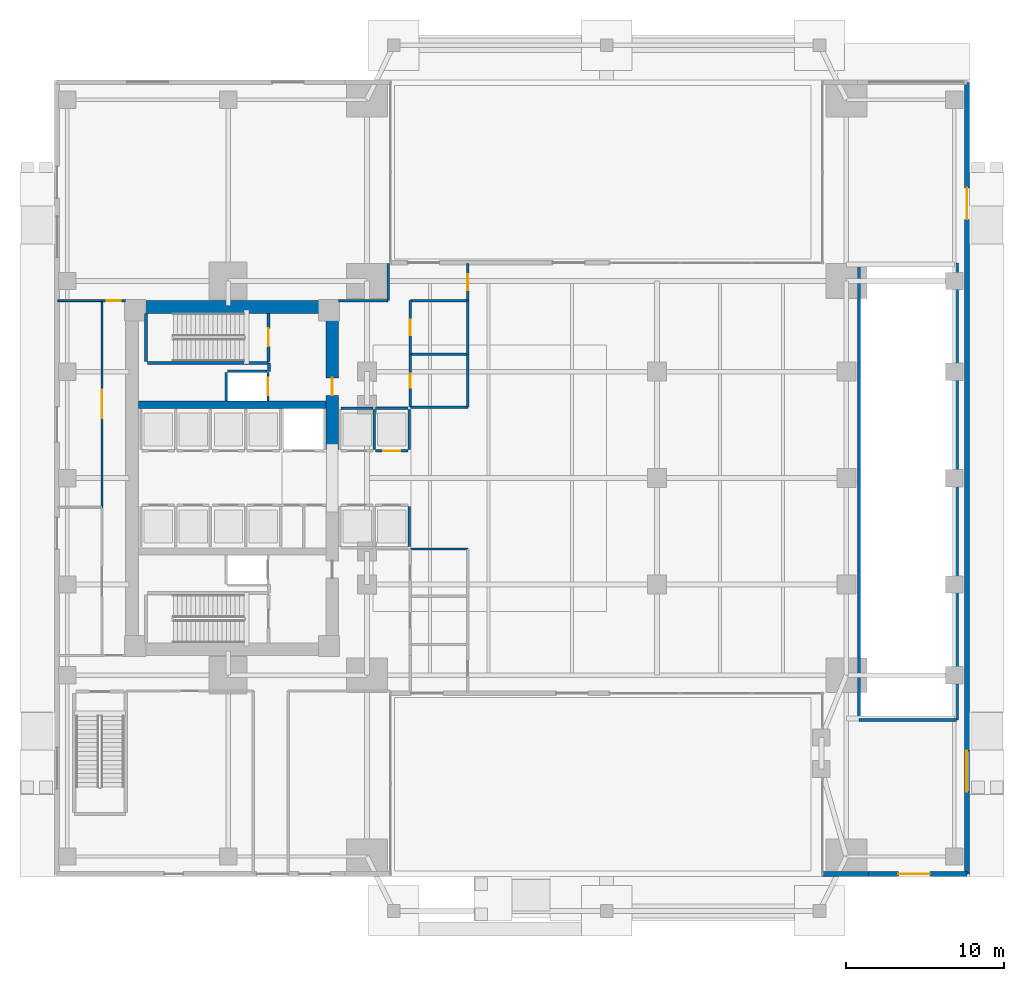
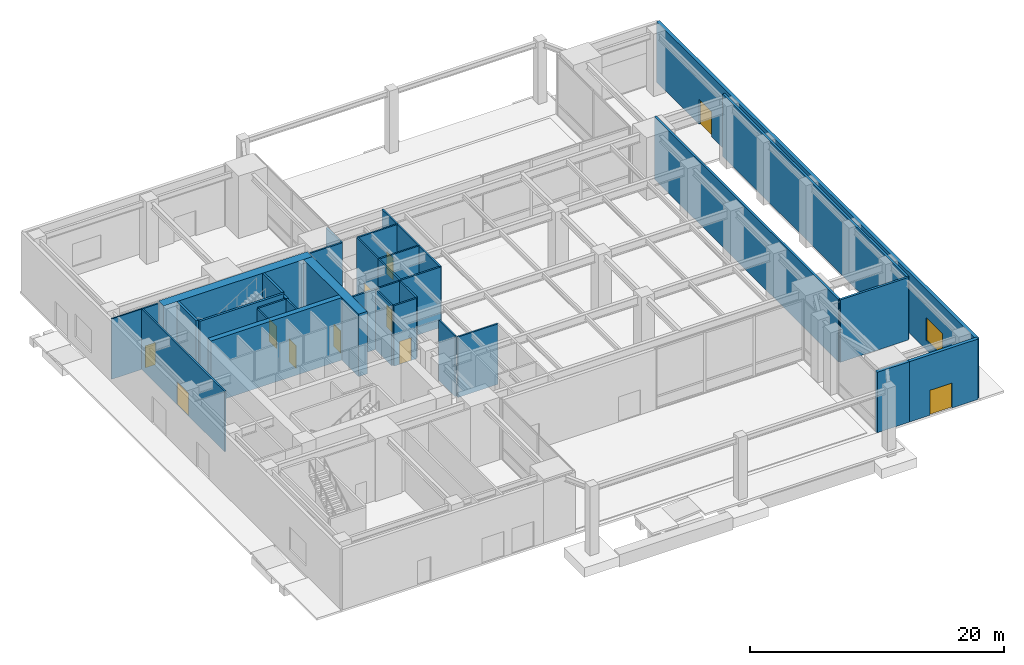
# One storey, part 11 of 17: 36 walls, 11 doors, 1 window, 12 openings.
"""IFC4 building model written with IfcOpenShell, lengths in metres."""

from ifc_helpers import new_model, si_unit, direction, frame, frame_2d, origin, place, context, subcontext, project, spatial, rectangle, extrude, material, layer, layer_set, type_object, element, fill, save


model = new_model("IFC4")

# Units and contexts
model_context = context("Model", 3, precision=1e-05, world=origin(), true_north=direction((0.0, 1.0)))
body_context = subcontext(model_context, "Body", "Model", "MODEL_VIEW")
ifc_project = project(units=[si_unit("LENGTHUNIT", "METRE"), si_unit("AREAUNIT", "SQUARE_METRE"), si_unit("VOLUMEUNIT", "CUBIC_METRE"), si_unit("PLANEANGLEUNIT", "RADIAN"), si_unit("MASSUNIT", "GRAM", prefix="KILO")], contexts=[model_context])

# Site, building, storey
site_placement = place(None, origin())
site = spatial("IfcSite", under=ifc_project, at=site_placement, CompositionType="ELEMENT")
building_placement = place(site_placement, origin())
building = spatial("IfcBuilding", under=site, at=building_placement, Name="Kinhvarn Gate Tower", CompositionType="ELEMENT")
storey_placement = place(building_placement, origin())
storey = spatial("IfcBuildingStorey", under=building, at=storey_placement, Name="L00", CompositionType="ELEMENT", Elevation=0.0)

# Walls
ifc_material_1 = material(Name="Concrete C50/60", Category="concrete")
ifc_layer_1 = layer(ifc_material_1, 0.449951171875)
ifc_layer_set_1 = layer_set([ifc_layer_1], Name="Concrete C50/60")
wall_type_1 = type_object("IfcWallType", Name="WL-CORE-450", PredefinedType="SHEAR", material=ifc_layer_set_1)
wall_1_placement = place(storey_placement, frame((5.300048828125, 29.89990234375, 0.0), z_axis=(0.0, 0.0, 1.0), x_axis=(1.0, 0.0, 0.0)))
element("IfcWall", 1, at=wall_1_placement, inside=storey, type_object=wall_type_1, Name="Core North Spine Shear Wall L00 450 mm", PredefinedType="SHEAR", context=body_context, shape_type="SweptSolid", body=[
    extrude(rectangle(XDim=11.89990234375, YDim=0.449951171875, at=frame_2d((5.949951171875, 0.0))), origin(), (0.0, 0.0, 1.0), 6.0),
])
ifc_material_2 = material(Name="Concrete C70/85", Category="concrete")
ifc_layer_2 = layer(ifc_material_2, 0.800048828125)
ifc_layer_set_2 = layer_set([ifc_layer_2], Name="Concrete C70/85")
wall_type_2 = type_object("IfcWallType", Name="WL-CORE-800", PredefinedType="SHEAR", material=ifc_layer_set_2)
wall_2_placement = place(storey_placement, frame((4.5, 36.10009765625, 0.0), z_axis=(0.0, 0.0, 1.0), x_axis=(1.0, 0.0, 0.0)))
element("IfcWall", 2, at=wall_2_placement, inside=storey, type_object=wall_type_2, Name="Core North Shear Wall L00 800 mm", PredefinedType="SHEAR", context=body_context, shape_type="SweptSolid", body=[
    extrude(rectangle(XDim=13.5, YDim=0.800048828125, at=frame_2d((6.75, 0.0))), origin(), (0.0, 0.0, 1.0), 6.0),
])

# Wall, opening, door
wall_3_placement = place(storey_placement, frame((17.60009765625, 27.050048828125, 0.0), z_axis=(0.0, 0.0, 1.0), x_axis=(0.0, 1.0, 0.0)))
wall_3 = element("IfcWall", 3, at=wall_3_placement, inside=storey, type_object=wall_type_2, Name="Core East-North Shear Pier L00 800 mm", PredefinedType="SHEAR", context=body_context, shape_type="SweptSolid", body=[
    extrude(rectangle(XDim=8.64990234375, YDim=0.800048828125, at=frame_2d((4.324951171875, 0.0))), origin(), (0.0, 0.0, 1.0), 6.0),
])
opening_1_placement = place(wall_3_placement, frame((3.449951171875, 0.0, 0.0)))
opening_1 = element("IfcOpeningElement", 4, at=opening_1_placement, cuts=wall_3, Name="Opening FD-02", PredefinedType="OPENING", context=body_context, shape_type="SweptSolid", body=[
    extrude(rectangle(XDim=1.10009765625, YDim=2.14990234375, at=frame_2d((0.550048828125, 1.074951171875))), frame((0.0, 0.41015625, 0.0), z_axis=(0.0, -1.0, 0.0), x_axis=(1.0, 0.0, 0.0)), (0.0, 0.0, 1.0), 0.820068359375),
])
ifc_material_3 = material(Name="Anodised aluminium AW-6063", Category="aluminium")
door_type_1 = type_object("IfcDoorType", Name="DR-FD-1100", OperationType="NOTDEFINED", PredefinedType="DOOR", material=ifc_material_3)
door_1_placement = place(opening_1_placement, origin())
door_1 = element("IfcDoor", 5, at=door_1_placement, inside=storey, type_object=door_type_1, Name="Firefighting Lobby Core Door (L00)", OperationType="SINGLE_SWING_LEFT", OverallHeight=2.14990234375, OverallWidth=1.10009765625, PredefinedType="DOOR", context=body_context, shape_type="SweptSolid", body=[
    extrude(rectangle(XDim=1.10009765625, YDim=2.14990234375, at=frame_2d((0.550048828125, 1.074951171875))), frame((0.0, 0.02490234375, 0.0), z_axis=(0.0, -1.0, 0.0), x_axis=(1.0, 0.0, 0.0)), (0.0, 0.0, 1.0), 0.050048828125),
])
fill(opening_1, door_1)

ifc_material_4 = material(Name="Precast white architectural concrete C40/50", Category="concrete")
ifc_layer_3 = layer(ifc_material_4, 0.300048828125)
ifc_layer_set_3 = layer_set([ifc_layer_3], Name="Precast white architectural concrete C40/50")
wall_type_3 = type_object("IfcWallType", Name="WL-EXT-300", PredefinedType="SOLIDWALL", material=ifc_layer_set_3)
wall_4_placement = place(storey_placement, frame((51.60009765625, 0.14990234375, 0.0), z_axis=(0.0, 0.0, 1.0), x_axis=(1.0, 0.0, 0.0)))
wall_4 = element("IfcWall", 6, at=wall_4_placement, inside=storey, type_object=wall_type_3, Name="Exterior Solidwall Wall EW-300 (L00 South-East)", PredefinedType="SOLIDWALL", context=body_context, shape_type="SweptSolid", body=[
    extrude(rectangle(XDim=6.25, YDim=0.300048828125, at=frame_2d((3.125, 0.0))), origin(), (0.0, 0.0, 1.0), 5.800048828125),
])
opening_2_placement = place(wall_4_placement, frame((1.89990234375, 0.0, 0.0)))
opening_2 = element("IfcOpeningElement", 7, at=opening_2_placement, cuts=wall_4, Name="Opening ED-01", PredefinedType="OPENING", context=body_context, shape_type="SweptSolid", body=[
    extrude(rectangle(XDim=2.0, YDim=2.39990234375, at=frame_2d((1.0, 1.199951171875))), frame((0.0, 0.16015625, 0.0), z_axis=(0.0, -1.0, 0.0), x_axis=(1.0, 0.0, 0.0)), (0.0, 0.0, 1.0), 0.320068359375),
])
door_type_2 = type_object("IfcDoorType", Name="DR-EXT-EXIT", OperationType="NOTDEFINED", PredefinedType="DOOR", material=ifc_material_3)
door_2_placement = place(opening_2_placement, frame((2.0, 0.0, 0.0), z_axis=(0.0, 0.0, 1.0), x_axis=(-1.0, 0.0, 0.0)))
door_2 = element("IfcDoor", 8, at=door_2_placement, inside=storey, type_object=door_type_2, Name="South-East Retail Street Entrance Door", OperationType="DOUBLE_DOOR_SINGLE_SWING", OverallHeight=2.39990234375, OverallWidth=2.0, PredefinedType="DOOR", context=body_context, shape_type="SweptSolid", body=[
    extrude(rectangle(XDim=2.0, YDim=2.39990234375, at=frame_2d((1.0, 1.199951171875))), frame((0.0, 0.02490234375, 0.0), z_axis=(0.0, -1.0, 0.0), x_axis=(1.0, 0.0, 0.0)), (0.0, 0.0, 1.0), 0.050048828125),
])
fill(opening_2, door_2)

# Wall, openings, door, window
wall_5_placement = place(storey_placement, frame((57.85009765625, 0.14990234375, 0.0), z_axis=(0.0, 0.0, 1.0), x_axis=(0.0, 1.0, 0.0)))
wall_5 = element("IfcWall", 9, at=wall_5_placement, inside=storey, type_object=wall_type_3, Name="Exterior Solidwall Wall EW-300 (L00 East)", PredefinedType="SOLIDWALL", context=body_context, shape_type="SweptSolid", body=[
    extrude(rectangle(XDim=50.2001953125, YDim=0.300048828125, at=frame_2d((25.10009765625, 0.0))), origin(), (0.0, 0.0, 1.0), 5.800048828125),
])
opening_3_placement = place(wall_5_placement, frame((41.5, 0.0, 0.0)))
opening_3 = element("IfcOpeningElement", 10, at=opening_3_placement, cuts=wall_5, Name="Opening ED-01", PredefinedType="OPENING", context=body_context, shape_type="SweptSolid", body=[
    extrude(rectangle(XDim=2.0, YDim=2.39990234375, at=frame_2d((1.0, 1.199951171875))), frame((0.0, 0.16015625, 0.0), z_axis=(0.0, -1.0, 0.0), x_axis=(1.0, 0.0, 0.0)), (0.0, 0.0, 1.0), 0.320068359375),
])
opening_4_placement = place(wall_5_placement, frame((5.199951171875, 0.0, 0.89990234375)))
opening_4 = element("IfcOpeningElement", 11, at=opening_4_placement, cuts=wall_5, Name="Opening WN-03", PredefinedType="OPENING", context=body_context, shape_type="SweptSolid", body=[
    extrude(rectangle(XDim=2.60009765625, YDim=2.199951171875, at=frame_2d((1.300048828125, 1.10009765625))), frame((0.0, 0.16015625, 0.0), z_axis=(0.0, -1.0, 0.0), x_axis=(1.0, 0.0, 0.0)), (0.0, 0.0, 1.0), 0.320068359375),
])
door_3_placement = place(opening_3_placement, frame((2.0, 0.0, 0.0), z_axis=(0.0, 0.0, 1.0), x_axis=(-1.0, 0.0, 0.0)))
door_3 = element("IfcDoor", 12, at=door_3_placement, inside=storey, type_object=door_type_2, Name="Final Exit Door East Vestibule", OperationType="DOUBLE_DOOR_SINGLE_SWING", OverallHeight=2.39990234375, OverallWidth=2.0, PredefinedType="DOOR", context=body_context, shape_type="SweptSolid", body=[
    extrude(rectangle(XDim=2.0, YDim=2.39990234375, at=frame_2d((1.0, 1.199951171875))), frame((0.0, 0.02490234375, 0.0), z_axis=(0.0, -1.0, 0.0), x_axis=(1.0, 0.0, 0.0)), (0.0, 0.0, 1.0), 0.050048828125),
])
fill(opening_3, door_3)
ifc_material_5 = material(Name="Clear low-e double glazing", Category="glass")
window_type = type_object("IfcWindowType", Name="WIN-POD-2600", PartitioningType="SINGLE_PANEL", PredefinedType="WINDOW", material=ifc_material_5)
window_placement = place(opening_4_placement, origin())
window = element("IfcWindow", 13, at=window_placement, inside=storey, type_object=window_type, Name="Podium Gallery Punched Window 2600x2200 mm (L00)", OverallHeight=2.199951171875, OverallWidth=2.60009765625, PartitioningType="SINGLE_PANEL", PredefinedType="WINDOW", context=body_context, shape_type="SweptSolid", body=[
    extrude(rectangle(XDim=2.60009765625, YDim=2.199951171875, at=frame_2d((1.300048828125, 1.10009765625))), frame((0.0, 0.030029296875, 0.0), z_axis=(0.0, -1.0, 0.0), x_axis=(1.0, 0.0, 0.0)), (0.0, 0.0, 1.0), 0.06005859375),
])
fill(opening_4, window)

# Walls
wall_6_placement = place(storey_placement, frame((48.68994140625, 0.14990234375, 0.0), z_axis=(0.0, 0.0, 1.0), x_axis=(1.0, 0.0, 0.0)))
element("IfcWall", 14, at=wall_6_placement, inside=storey, type_object=wall_type_3, Name="Exterior Solidwall Wall EW-300 (L00 Arch-SE-Return)", PredefinedType="SOLIDWALL", context=body_context, shape_type="SweptSolid", body=[
    extrude(rectangle(XDim=2.91015625, YDim=0.300048828125, at=frame_2d((1.455078125, 0.0))), origin(), (0.0, 0.0, 1.0), 5.800048828125),
])
ifc_material_6 = material(Name="Gypsum acoustic partition board")
ifc_layer_4 = layer(ifc_material_6, 0.14990234375)
ifc_layer_set_4 = layer_set([ifc_layer_4], Name="Gypsum acoustic partition board")
wall_type_4 = type_object("IfcWallType", Name="WL-PLM-150", PredefinedType="PLUMBINGWALL", material=ifc_layer_set_4)
wall_7_placement = place(storey_placement, frame((22.550048828125, 33.10009765625, 0.0), z_axis=(0.0, 0.0, 1.0), x_axis=(1.0, 0.0, 0.0)))
element("IfcWall", 15, at=wall_7_placement, inside=storey, type_object=wall_type_4, Name="Interior Partition PLW-150 (L00)", PredefinedType="PLUMBINGWALL", context=body_context, shape_type="SweptSolid", body=[
    extrude(rectangle(XDim=3.64990234375, YDim=0.14990234375, at=frame_2d((1.824951171875, 0.0))), origin(), (0.0, 0.0, 1.0), 5.800048828125),
])
ifc_layer_5 = layer(ifc_material_6, 0.14990234375)
ifc_layer_set_5 = layer_set([ifc_layer_5], Name="Gypsum acoustic partition board")
wall_type_5 = type_object("IfcWallType", Name="WL-PLM-150F", PredefinedType="PLUMBINGWALL", material=ifc_layer_set_5)
for number, where, z_axis, x_axis, name in (
    (16, (22.550048828125, 20.75, 0.0), (0.0, 0.0, 1.0), (1.0, 0.0, 0.0), "Interior Partition PLW-150F (L00)"),
    (17, (22.550048828125, 29.75, 0.0), (0.0, 0.0, 1.0), (1.0, 0.0, 0.0), "Interior Partition PLW-150F (L00)"),
):
    element("IfcWall", number, at=place(storey_placement, frame(where, z_axis=z_axis, x_axis=x_axis)), inside=storey, type_object=wall_type_5, Name=name, PredefinedType="PLUMBINGWALL", context=body_context, shape_type="SweptSolid", body=[
        extrude(rectangle(XDim=3.64990234375, YDim=0.14990234375, at=frame_2d((1.824951171875, 0.0))), origin(), (0.0, 0.0, 1.0), 5.800048828125),
    ])
wall_8_placement = place(storey_placement, frame((26.199951171875, 29.75, 0.0), z_axis=(0.0, 0.0, 1.0), x_axis=(0.0, 1.0, 0.0)))
element("IfcWall", 18, at=wall_8_placement, inside=storey, type_object=wall_type_5, Name="Interior Partition PLW-150F (L00)", PredefinedType="PLUMBINGWALL", context=body_context, shape_type="SweptSolid", body=[
    extrude(rectangle(XDim=3.35009765625, YDim=0.14990234375, at=frame_2d((1.675048828125, 0.0))), origin(), (0.0, 0.0, 1.0), 5.800048828125),
])

# Wall, opening, door
wall_9_placement = place(storey_placement, frame((22.550048828125, 29.75, 0.0), z_axis=(0.0, 0.0, 1.0), x_axis=(0.0, 1.0, 0.0)))
wall_9 = element("IfcWall", 19, at=wall_9_placement, inside=storey, type_object=wall_type_5, Name="Interior Partition PLW-150F (L00)", PredefinedType="PLUMBINGWALL", context=body_context, shape_type="SweptSolid", body=[
    extrude(rectangle(XDim=3.35009765625, YDim=0.14990234375, at=frame_2d((1.675048828125, 0.0))), origin(), (0.0, 0.0, 1.0), 5.800048828125),
])
opening_5_placement = place(wall_9_placement, frame((1.22509765625, 0.0, 0.0)))
opening_5 = element("IfcOpeningElement", 20, at=opening_5_placement, cuts=wall_9, Name="Opening FD-04", PredefinedType="OPENING", context=body_context, shape_type="SweptSolid", body=[
    extrude(rectangle(XDim=0.89990234375, YDim=2.10009765625, at=frame_2d((0.449951171875, 1.050048828125))), frame((0.0, 0.0849609375, 0.0), z_axis=(0.0, -1.0, 0.0), x_axis=(1.0, 0.0, 0.0)), (0.0, 0.0, 1.0), 0.169921875),
])
door_type_3 = type_object("IfcDoorType", Name="DR-FD-900", OperationType="NOTDEFINED", PredefinedType="DOOR", material=ifc_material_3)
door_4_placement = place(opening_5_placement, origin())
door_4 = element("IfcDoor", 21, at=door_4_placement, inside=storey, type_object=door_type_3, Name="Rated Riser & Service Closet Fire Door 900x2100 mm (L00)", OperationType="SINGLE_SWING_LEFT", OverallHeight=2.10009765625, OverallWidth=0.89990234375, PredefinedType="DOOR", context=body_context, shape_type="SweptSolid", body=[
    extrude(rectangle(XDim=0.89990234375, YDim=2.10009765625, at=frame_2d((0.449951171875, 1.050048828125))), frame((0.0, 0.02490234375, 0.0), z_axis=(0.0, -1.0, 0.0), x_axis=(1.0, 0.0, 0.0)), (0.0, 0.0, 1.0), 0.050048828125),
])
fill(opening_5, door_4)

# Wall
ifc_layer_6 = layer(ifc_material_6, 0.1201171875)
ifc_layer_set_6 = layer_set([ifc_layer_6], Name="Gypsum acoustic partition board")
wall_type_6 = type_object("IfcWallType", Name="WL-PRT-120", PredefinedType="PARTITIONING", material=ifc_layer_set_6)
wall_10_placement = place(storey_placement, frame((0.199951171875, 36.5, 0.0), z_axis=(0.0, 0.0, 1.0), x_axis=(1.0, 0.0, 0.0)))
element("IfcWall", 22, at=wall_10_placement, inside=storey, type_object=wall_type_6, Name="Interior Partition PW-120 (L00)", PredefinedType="PARTITIONING", context=body_context, shape_type="SweptSolid", body=[
    extrude(rectangle(XDim=2.800048828125, YDim=0.1201171875, at=frame_2d((1.39990234375, 0.0))), origin(), (0.0, 0.0, 1.0), 5.800048828125),
])

# Wall, opening, door
ifc_layer_7 = layer(ifc_material_6, 0.14990234375)
ifc_layer_set_7 = layer_set([ifc_layer_7], Name="Gypsum acoustic partition board")
wall_type_7 = type_object("IfcWallType", Name="WL-PRT-150F", PredefinedType="PARTITIONING", material=ifc_layer_set_7)
wall_11_placement = place(storey_placement, frame((26.199951171875, 36.5, 0.0), z_axis=(0.0, 0.0, 1.0), x_axis=(0.0, 1.0, 0.0)))
wall_11 = element("IfcWall", 23, at=wall_11_placement, inside=storey, type_object=wall_type_7, Name="Interior Partition PW-150F (L00)", PredefinedType="PARTITIONING", context=body_context, shape_type="SweptSolid", body=[
    extrude(rectangle(XDim=2.35009765625, YDim=0.14990234375, at=frame_2d((1.175048828125, 0.0))), origin(), (0.0, 0.0, 1.0), 5.800048828125),
])
opening_6_placement = place(wall_11_placement, frame((0.675048828125, 0.0, 0.0)))
opening_6 = element("IfcOpeningElement", 24, at=opening_6_placement, cuts=wall_11, Name="Opening FD-03", PredefinedType="OPENING", context=body_context, shape_type="SweptSolid", body=[
    extrude(rectangle(XDim=1.0, YDim=2.14990234375, at=frame_2d((0.5, 1.074951171875))), frame((0.0, 0.0849609375, 0.0), z_axis=(0.0, -1.0, 0.0), x_axis=(1.0, 0.0, 0.0)), (0.0, 0.0, 1.0), 0.169921875),
])
door_type_4 = type_object("IfcDoorType", Name="DR-FD-1000", OperationType="NOTDEFINED", PredefinedType="DOOR", material=ifc_material_3)
door_5_placement = place(opening_6_placement, origin())
door_5 = element("IfcDoor", 25, at=door_5_placement, inside=storey, type_object=door_type_4, Name="Rated Plant & Corridor Fire Door 1000x2150 mm (L00)", OperationType="SINGLE_SWING_LEFT", OverallHeight=2.14990234375, OverallWidth=1.0, PredefinedType="DOOR", context=body_context, shape_type="SweptSolid", body=[
    extrude(rectangle(XDim=1.0, YDim=2.14990234375, at=frame_2d((0.5, 1.074951171875))), frame((0.0, 0.02490234375, 0.0), z_axis=(0.0, -1.0, 0.0), x_axis=(1.0, 0.0, 0.0)), (0.0, 0.0, 1.0), 0.050048828125),
])
fill(opening_6, door_5)

# Walls
wall_12_placement = place(storey_placement, frame((26.199951171875, 33.10009765625, 0.0), z_axis=(0.0, 0.0, 1.0), x_axis=(0.0, 1.0, 0.0)))
element("IfcWall", 26, at=wall_12_placement, inside=storey, type_object=wall_type_7, Name="Interior Partition PW-150F (L00)", PredefinedType="PARTITIONING", context=body_context, shape_type="SweptSolid", body=[
    extrude(rectangle(XDim=3.39990234375, YDim=0.14990234375, at=frame_2d((1.699951171875, 0.0))), origin(), (0.0, 0.0, 1.0), 5.800048828125),
])
wall_13_placement = place(storey_placement, frame((18.0, 36.5, 0.0), z_axis=(0.0, 0.0, 1.0), x_axis=(1.0, 0.0, 0.0)))
element("IfcWall", 27, at=wall_13_placement, inside=storey, type_object=wall_type_7, Name="Interior Partition PW-150F (L00)", PredefinedType="PARTITIONING", context=body_context, shape_type="SweptSolid", body=[
    extrude(rectangle(XDim=3.14990234375, YDim=0.14990234375, at=frame_2d((1.574951171875, 0.0))), origin(), (0.0, 0.0, 1.0), 5.800048828125),
])

# Wall, opening, door
wall_14_placement = place(storey_placement, frame((22.550048828125, 33.10009765625, 0.0), z_axis=(0.0, 0.0, 1.0), x_axis=(0.0, 1.0, 0.0)))
wall_14 = element("IfcWall", 28, at=wall_14_placement, inside=storey, type_object=wall_type_7, Name="Interior Partition PW-150F (L00)", PredefinedType="PARTITIONING", context=body_context, shape_type="SweptSolid", body=[
    extrude(rectangle(XDim=3.39990234375, YDim=0.14990234375, at=frame_2d((1.699951171875, 0.0))), origin(), (0.0, 0.0, 1.0), 5.800048828125),
])
opening_7_placement = place(wall_14_placement, frame((1.199951171875, 0.0, 0.0)))
opening_7 = element("IfcOpeningElement", 29, at=opening_7_placement, cuts=wall_14, Name="Opening ID-02", PredefinedType="OPENING", context=body_context, shape_type="SweptSolid", body=[
    extrude(rectangle(XDim=1.0, YDim=2.14990234375, at=frame_2d((0.5, 1.074951171875))), frame((0.0, 0.0849609375, 0.0), z_axis=(0.0, -1.0, 0.0), x_axis=(1.0, 0.0, 0.0)), (0.0, 0.0, 1.0), 0.169921875),
])
door_type_5 = type_object("IfcDoorType", Name="DR-INT-1000", OperationType="NOTDEFINED", PredefinedType="DOOR", material=ifc_material_3)
door_6_placement = place(opening_7_placement, origin())
door_6 = element("IfcDoor", 30, at=door_6_placement, inside=storey, type_object=door_type_5, Name="Standard Office & Meeting Room Door 1000x2150 mm (L00)", OperationType="SINGLE_SWING_RIGHT", OverallHeight=2.14990234375, OverallWidth=1.0, PredefinedType="DOOR", context=body_context, shape_type="SweptSolid", body=[
    extrude(rectangle(XDim=1.0, YDim=2.14990234375, at=frame_2d((0.5, 1.074951171875))), frame((0.0, 0.02490234375, 0.0), z_axis=(0.0, -1.0, 0.0), x_axis=(1.0, 0.0, 0.0)), (0.0, 0.0, 1.0), 0.050048828125),
])
fill(opening_7, door_6)

# Walls
wall_15_placement = place(storey_placement, frame((21.14990234375, 36.5, 0.0), z_axis=(0.0, 0.0, 1.0), x_axis=(0.0, 1.0, 0.0)))
element("IfcWall", 31, at=wall_15_placement, inside=storey, type_object=wall_type_7, Name="Interior Partition PW-150F (L00)", PredefinedType="PARTITIONING", context=body_context, shape_type="SweptSolid", body=[
    extrude(rectangle(XDim=2.35009765625, YDim=0.14990234375, at=frame_2d((1.175048828125, 0.0))), origin(), (0.0, 0.0, 1.0), 5.800048828125),
])
wall_16_placement = place(storey_placement, frame((22.550048828125, 36.5, 0.0), z_axis=(0.0, 0.0, 1.0), x_axis=(1.0, 0.0, 0.0)))
element("IfcWall", 32, at=wall_16_placement, inside=storey, type_object=wall_type_7, Name="Interior Partition PW-150F (L00)", PredefinedType="PARTITIONING", context=body_context, shape_type="SweptSolid", body=[
    extrude(rectangle(XDim=3.64990234375, YDim=0.14990234375, at=frame_2d((1.824951171875, 0.0))), origin(), (0.0, 0.0, 1.0), 5.800048828125),
])

# Wall, opening, door
wall_17_placement = place(storey_placement, frame((3.0, 23.39990234375, 0.0), z_axis=(0.0, 0.0, 1.0), x_axis=(0.0, 1.0, 0.0)))
wall_17 = element("IfcWall", 33, at=wall_17_placement, inside=storey, type_object=wall_type_7, Name="Interior Partition PW-150F (L00)", PredefinedType="PARTITIONING", context=body_context, shape_type="SweptSolid", body=[
    extrude(rectangle(XDim=13.10009765625, YDim=0.14990234375, at=frame_2d((6.550048828125, 0.0))), origin(), (0.0, 0.0, 1.0), 5.800048828125),
])
opening_8_placement = place(wall_17_placement, frame((5.64990234375, 0.0, 0.0)))
opening_8 = element("IfcOpeningElement", 34, at=opening_8_placement, cuts=wall_17, Name="Opening ID-04", PredefinedType="OPENING", context=body_context, shape_type="SweptSolid", body=[
    extrude(rectangle(XDim=1.800048828125, YDim=2.199951171875, at=frame_2d((0.89990234375, 1.10009765625))), frame((0.0, 0.0849609375, 0.0), z_axis=(0.0, -1.0, 0.0), x_axis=(1.0, 0.0, 0.0)), (0.0, 0.0, 1.0), 0.169921875),
])
door_type_6 = type_object("IfcDoorType", Name="DR-GLZ-1800", OperationType="NOTDEFINED", PredefinedType="DOOR", material=ifc_material_5)
door_7_placement = place(opening_8_placement, origin())
door_7 = element("IfcDoor", 35, at=door_7_placement, inside=storey, type_object=door_type_6, Name="Double Glazed Forum & Sky-Lobby Door 1800x2200 mm (L00)", OperationType="DOUBLE_DOOR_SINGLE_SWING", OverallHeight=2.199951171875, OverallWidth=1.800048828125, PredefinedType="DOOR", context=body_context, shape_type="SweptSolid", body=[
    extrude(rectangle(XDim=1.800048828125, YDim=2.199951171875, at=frame_2d((0.89990234375, 1.10009765625))), frame((0.0, 0.02490234375, 0.0), z_axis=(0.0, -1.0, 0.0), x_axis=(1.0, 0.0, 0.0)), (0.0, 0.0, 1.0), 0.050048828125),
])
fill(opening_8, door_7)

wall_18_placement = place(storey_placement, frame((3.0, 36.5, 0.0), z_axis=(0.0, 0.0, 1.0), x_axis=(1.0, 0.0, 0.0)))
wall_18 = element("IfcWall", 36, at=wall_18_placement, inside=storey, type_object=wall_type_7, Name="Interior Partition PW-150F (L00)", PredefinedType="PARTITIONING", context=body_context, shape_type="SweptSolid", body=[
    extrude(rectangle(XDim=1.5, YDim=0.14990234375, at=frame_2d((0.75, 0.0))), origin(), (0.0, 0.0, 1.0), 5.800048828125),
])
opening_9_placement = place(wall_18_placement, frame((0.300048828125, 0.0, 0.0)))
opening_9 = element("IfcOpeningElement", 37, at=opening_9_placement, cuts=wall_18, Name="Opening ID-03", PredefinedType="OPENING", context=body_context, shape_type="SweptSolid", body=[
    extrude(rectangle(XDim=0.89990234375, YDim=2.10009765625, at=frame_2d((0.449951171875, 1.050048828125))), frame((0.0, 0.0849609375, 0.0), z_axis=(0.0, -1.0, 0.0), x_axis=(1.0, 0.0, 0.0)), (0.0, 0.0, 1.0), 0.169921875),
])
door_type_7 = type_object("IfcDoorType", Name="DR-INT-900", OperationType="NOTDEFINED", PredefinedType="DOOR", material=ifc_material_3)
door_8_placement = place(opening_9_placement, origin())
door_8 = element("IfcDoor", 38, at=door_8_placement, inside=storey, type_object=door_type_7, Name="Cellular Office & Restroom Door 900x2100 mm (L00)", OperationType="SINGLE_SWING_LEFT", OverallHeight=2.10009765625, OverallWidth=0.89990234375, PredefinedType="DOOR", context=body_context, shape_type="SweptSolid", body=[
    extrude(rectangle(XDim=0.89990234375, YDim=2.10009765625, at=frame_2d((0.449951171875, 1.050048828125))), frame((0.0, 0.02490234375, 0.0), z_axis=(0.0, -1.0, 0.0), x_axis=(1.0, 0.0, 0.0)), (0.0, 0.0, 1.0), 0.050048828125),
])
fill(opening_9, door_8)

# Walls
ifc_layer_8 = layer(ifc_material_6, 0.199951171875)
ifc_layer_set_8 = layer_set([ifc_layer_8], Name="Gypsum acoustic partition board")
wall_type_8 = type_object("IfcWallType", Name="WL-PRT-200", PredefinedType="PARTITIONING", material=ifc_layer_set_8)
wall_19_placement = place(storey_placement, frame((13.580078125, 32.0, 0.0), z_axis=(0.0, 0.0, 1.0), x_axis=(0.0, 1.0, 0.0)))
element("IfcWall", 39, at=wall_19_placement, inside=storey, type_object=wall_type_8, Name="Interior Partition PW-200 (L00)", PredefinedType="PARTITIONING", context=body_context, shape_type="SweptSolid", body=[
    extrude(rectangle(XDim=0.5400390625, YDim=0.199951171875, at=frame_2d((0.27001953125, 0.0))), origin(), (0.0, 0.0, 1.0), 5.800048828125),
])
ifc_layer_9 = layer(ifc_material_6, 0.14990234375)
ifc_layer_set_9 = layer_set([ifc_layer_9], Name="Gypsum acoustic partition board")
wall_type_9 = type_object("IfcWallType", Name="WL-SHF-150", PredefinedType="PARTITIONING", material=ifc_layer_set_9)
wall_20_placement = place(storey_placement, frame((22.47509765625, 20.89990234375, 0.0), z_axis=(0.0, 0.0, 1.0), x_axis=(0.0, 1.0, 0.0)))
element("IfcWall", 40, at=wall_20_placement, inside=storey, type_object=wall_type_9, Name="Elevator PL-02 Hoistway Wall E (L00)", PredefinedType="PARTITIONING", context=body_context, shape_type="SweptSolid", body=[
    extrude(rectangle(XDim=2.550048828125, YDim=0.14990234375, at=frame_2d((1.27490234375, 0.0))), origin(), (0.0, 0.0, 1.0), 5.800048828125),
])
wall_21_placement = place(storey_placement, frame((18.14990234375, 29.675048828125, 0.0), z_axis=(0.0, 0.0, 1.0), x_axis=(1.0, 0.0, 0.0)))
element("IfcWall", 41, at=wall_21_placement, inside=storey, type_object=wall_type_9, Name="Elevator PL-03 Hoistway Wall N (L00)", PredefinedType="PARTITIONING", context=body_context, shape_type="SweptSolid", body=[
    extrude(rectangle(XDim=2.050048828125, YDim=0.14990234375, at=frame_2d((1.02490234375, 0.0))), origin(), (0.0, 0.0, 1.0), 5.800048828125),
])
wall_22_placement = place(storey_placement, frame((20.27490234375, 27.050048828125, 0.0), z_axis=(0.0, 0.0, 1.0), x_axis=(0.0, 1.0, 0.0)))
element("IfcWall", 42, at=wall_22_placement, inside=storey, type_object=wall_type_9, Name="Elevator PL-03 Hoistway Wall E (L00)", PredefinedType="PARTITIONING", context=body_context, shape_type="SweptSolid", body=[
    extrude(rectangle(XDim=2.550048828125, YDim=0.14990234375, at=frame_2d((1.27490234375, 0.0))), origin(), (0.0, 0.0, 1.0), 5.800048828125),
])

# Wall, opening, door
wall_23_placement = place(storey_placement, frame((20.35009765625, 26.97509765625, 0.0), z_axis=(0.0, 0.0, 1.0), x_axis=(1.0, 0.0, 0.0)))
wall_23 = element("IfcWall", 43, at=wall_23_placement, inside=storey, type_object=wall_type_9, Name="Elevator PL-04 Landing Wall (L00)", PredefinedType="PARTITIONING", context=body_context, shape_type="SweptSolid", body=[
    extrude(rectangle(XDim=2.0498046875, YDim=0.14990234375, at=frame_2d((1.02490234375, 0.0))), origin(), (0.0, 0.0, 1.0), 5.800048828125),
])
opening_10_placement = place(wall_23_placement, frame((0.47509765625, 0.0, 0.0)))
opening_10 = element("IfcOpeningElement", 44, at=opening_10_placement, cuts=wall_23, Name="Opening LD-01", PredefinedType="OPENING", context=body_context, shape_type="SweptSolid", body=[
    extrude(rectangle(XDim=1.10009765625, YDim=2.199951171875, at=frame_2d((0.550048828125, 1.10009765625))), frame((0.0, 0.0849609375, 0.0), z_axis=(0.0, -1.0, 0.0), x_axis=(1.0, 0.0, 0.0)), (0.0, 0.0, 1.0), 0.169921875),
])
door_type_8 = type_object("IfcDoorType", Name="DR-LND-PAS", OperationType="NOTDEFINED", PredefinedType="DOOR", material=ifc_material_3)
door_9_placement = place(opening_10_placement, origin())
door_9 = element("IfcDoor", 45, at=door_9_placement, inside=storey, type_object=door_type_8, Name="Elevator PL-04 Sliding Landing Door (L00)", OperationType="DOUBLE_DOOR_SLIDING", OverallHeight=2.199951171875, OverallWidth=1.10009765625, PredefinedType="DOOR", context=body_context, shape_type="SweptSolid", body=[
    extrude(rectangle(XDim=1.10009765625, YDim=2.199951171875, at=frame_2d((0.550048828125, 1.10009765625))), frame((0.0, 0.02490234375, 0.0), z_axis=(0.0, -1.0, 0.0), x_axis=(1.0, 0.0, 0.0)), (0.0, 0.0, 1.0), 0.050048828125),
])
fill(opening_10, door_9)

# Walls
wall_24_placement = place(storey_placement, frame((20.35009765625, 29.675048828125, 0.0), z_axis=(0.0, 0.0, 1.0), x_axis=(1.0, 0.0, 0.0)))
element("IfcWall", 46, at=wall_24_placement, inside=storey, type_object=wall_type_9, Name="Elevator PL-04 Hoistway Wall N (L00)", PredefinedType="PARTITIONING", context=body_context, shape_type="SweptSolid", body=[
    extrude(rectangle(XDim=2.0498046875, YDim=0.14990234375, at=frame_2d((1.02490234375, 0.0))), origin(), (0.0, 0.0, 1.0), 5.800048828125),
])
wall_25_placement = place(storey_placement, frame((22.47509765625, 27.050048828125, 0.0), z_axis=(0.0, 0.0, 1.0), x_axis=(0.0, 1.0, 0.0)))
element("IfcWall", 47, at=wall_25_placement, inside=storey, type_object=wall_type_9, Name="Elevator PL-04 Hoistway Wall E (L00)", PredefinedType="PARTITIONING", context=body_context, shape_type="SweptSolid", body=[
    extrude(rectangle(XDim=2.550048828125, YDim=0.14990234375, at=frame_2d((1.27490234375, 0.0))), origin(), (0.0, 0.0, 1.0), 5.800048828125),
])
wall_26_placement = place(storey_placement, frame((10.949951171875, 32.02490234375, 0.0), z_axis=(0.0, 0.0, 1.0), x_axis=(1.0, 0.0, 0.0)))
element("IfcWall", 48, at=wall_26_placement, inside=storey, type_object=wall_type_9, Name="Elevator FF2 Hoistway Wall N (L00)", PredefinedType="PARTITIONING", context=body_context, shape_type="SweptSolid", body=[
    extrude(rectangle(XDim=2.5, YDim=0.14990234375, at=frame_2d((1.25, 0.0))), origin(), (0.0, 0.0, 1.0), 5.800048828125),
])
wall_27_placement = place(storey_placement, frame((10.875, 30.14990234375, 0.0), z_axis=(0.0, 0.0, 1.0), x_axis=(0.0, 1.0, 0.0)))
element("IfcWall", 49, at=wall_27_placement, inside=storey, type_object=wall_type_9, Name="Elevator FF2 Hoistway Wall W (L00)", PredefinedType="PARTITIONING", context=body_context, shape_type="SweptSolid", body=[
    extrude(rectangle(XDim=1.800048828125, YDim=0.14990234375, at=frame_2d((0.89990234375, 0.0))), origin(), (0.0, 0.0, 1.0), 5.800048828125),
])

# Wall, opening, door
wall_28_placement = place(storey_placement, frame((13.52490234375, 30.14990234375, 0.0), z_axis=(0.0, 0.0, 1.0), x_axis=(0.0, 1.0, 0.0)))
wall_28 = element("IfcWall", 50, at=wall_28_placement, inside=storey, type_object=wall_type_9, Name="Elevator FF2 Landing Wall (L00)", PredefinedType="PARTITIONING", context=body_context, shape_type="SweptSolid", body=[
    extrude(rectangle(XDim=1.800048828125, YDim=0.14990234375, at=frame_2d((0.89990234375, 0.0))), origin(), (0.0, 0.0, 1.0), 5.800048828125),
])
opening_11_placement = place(wall_28_placement, frame((0.35009765625, 0.0, 0.0)))
opening_11 = element("IfcOpeningElement", 51, at=opening_11_placement, cuts=wall_28, Name="Opening LD-03", PredefinedType="OPENING", context=body_context, shape_type="SweptSolid", body=[
    extrude(rectangle(XDim=1.10009765625, YDim=2.199951171875, at=frame_2d((0.550048828125, 1.10009765625))), frame((0.0, 0.0849609375, 0.0), z_axis=(0.0, -1.0, 0.0), x_axis=(1.0, 0.0, 0.0)), (0.0, 0.0, 1.0), 0.169921875),
])
door_type_9 = type_object("IfcDoorType", Name="DR-LND-FF", OperationType="NOTDEFINED", PredefinedType="DOOR", material=ifc_material_3)
door_10_placement = place(opening_11_placement, origin())
door_10 = element("IfcDoor", 52, at=door_10_placement, inside=storey, type_object=door_type_9, Name="Elevator FF2 Sliding Landing Door (L00)", OperationType="DOUBLE_DOOR_SLIDING", OverallHeight=2.199951171875, OverallWidth=1.10009765625, PredefinedType="DOOR", context=body_context, shape_type="SweptSolid", body=[
    extrude(rectangle(XDim=1.10009765625, YDim=2.199951171875, at=frame_2d((0.550048828125, 1.10009765625))), frame((0.0, 0.02490234375, 0.0), z_axis=(0.0, -1.0, 0.0), x_axis=(1.0, 0.0, 0.0)), (0.0, 0.0, 1.0), 0.050048828125),
])
fill(opening_11, door_10)

# Walls
ifc_material_7 = material(Name="Concrete C40/50", Category="concrete")
ifc_layer_10 = layer(ifc_material_7, 0.199951171875)
ifc_layer_set_10 = layer_set([ifc_layer_10], Name="Concrete C40/50")
wall_type_10 = type_object("IfcWallType", Name="WL-SHF-200", PredefinedType="SOLIDWALL", material=ifc_layer_set_10)
wall_29_placement = place(storey_placement, frame((5.7900390625, 32.64990234375, 0.0), z_axis=(0.0, 0.0, 1.0), x_axis=(0.0, 1.0, 0.0)))
element("IfcWall", 53, at=wall_29_placement, inside=storey, type_object=wall_type_10, Name="Stair ST2 West Shaft Wall (L00)", PredefinedType="SOLIDWALL", context=body_context, shape_type="SweptSolid", body=[
    extrude(rectangle(XDim=3.050048828125, YDim=0.199951171875, at=frame_2d((1.52490234375, 0.0))), origin(), (0.0, 0.0, 1.0), 6.0),
])
wall_30_placement = place(storey_placement, frame((5.89990234375, 32.5400390625, 0.0), z_axis=(0.0, 0.0, 1.0), x_axis=(1.0, 0.0, 0.0)))
element("IfcWall", 54, at=wall_30_placement, inside=storey, type_object=wall_type_10, Name="Stair ST2 South Shaft Wall (L00)", PredefinedType="SOLIDWALL", context=body_context, shape_type="SweptSolid", body=[
    extrude(rectangle(XDim=7.66015625, YDim=0.199951171875, at=frame_2d((3.830078125, 0.0))), origin(), (0.0, 0.0, 1.0), 6.0),
])

# Wall, opening, door
wall_31_placement = place(storey_placement, frame((13.56005859375, 32.64990234375, 0.0), z_axis=(0.0, 0.0, 1.0), x_axis=(0.0, 1.0, 0.0)))
wall_31 = element("IfcWall", 55, at=wall_31_placement, inside=storey, type_object=wall_type_10, Name="Stair ST2 East Entry Wall (L00)", PredefinedType="SOLIDWALL", context=body_context, shape_type="SweptSolid", body=[
    extrude(rectangle(XDim=3.050048828125, YDim=0.199951171875, at=frame_2d((1.52490234375, 0.0))), origin(), (0.0, 0.0, 1.0), 6.0),
])
opening_12_placement = place(wall_31_placement, frame((0.949951171875, 0.0, 0.0)))
opening_12 = element("IfcOpeningElement", 56, at=opening_12_placement, cuts=wall_31, Name="Opening FD-01", PredefinedType="OPENING", context=body_context, shape_type="SweptSolid", body=[
    extrude(rectangle(XDim=1.14990234375, YDim=2.14990234375, at=frame_2d((0.574951171875, 1.074951171875))), frame((0.0, 0.10986328125, 0.0), z_axis=(0.0, -1.0, 0.0), x_axis=(1.0, 0.0, 0.0)), (0.0, 0.0, 1.0), 0.219970703125),
])
door_type_10 = type_object("IfcDoorType", Name="DR-ST-1150", OperationType="NOTDEFINED", PredefinedType="DOOR", material=ifc_material_3)
door_11_placement = place(opening_12_placement, origin())
door_11 = element("IfcDoor", 57, at=door_11_placement, inside=storey, type_object=door_type_10, Name="Exit Stair ST2 Fire Door (L00)", OperationType="SINGLE_SWING_LEFT", OverallHeight=2.14990234375, OverallWidth=1.14990234375, PredefinedType="DOOR", context=body_context, shape_type="SweptSolid", body=[
    extrude(rectangle(XDim=1.14990234375, YDim=2.14990234375, at=frame_2d((0.574951171875, 1.074951171875))), frame((0.0, 0.02490234375, 0.0), z_axis=(0.0, -1.0, 0.0), x_axis=(1.0, 0.0, 0.0)), (0.0, 0.0, 1.0), 0.050048828125),
])
fill(opening_12, door_11)

# Walls
for number, where, z_axis, x_axis, name in (
    (58, (51.0, 9.89990234375, 0.0), (0.0, 0.0, 1.0), (0.0, 1.0, 0.0), "Vehicle Ramp West Shaft Wall (L00)"),
    (59, (57.199951171875, 9.89990234375, 0.0), (0.0, 0.0, 1.0), (0.0, 1.0, 0.0), "Vehicle Ramp East Shaft Wall (L00)"),
):
    element("IfcWall", number, at=place(storey_placement, frame(where, z_axis=z_axis, x_axis=x_axis)), inside=storey, type_object=wall_type_10, Name=name, PredefinedType="SOLIDWALL", context=body_context, shape_type="SweptSolid", body=[
        extrude(rectangle(XDim=29.0, YDim=0.199951171875, at=frame_2d((14.5, 0.0))), origin(), (0.0, 0.0, 1.0), 6.0),
    ])
wall_32_placement = place(storey_placement, frame((51.0, 9.89990234375, 0.0), z_axis=(0.0, 0.0, 1.0), x_axis=(1.0, 0.0, 0.0)))
element("IfcWall", 60, at=wall_32_placement, inside=storey, type_object=wall_type_10, Name="Vehicle Ramp End Safety Wall (L00)", PredefinedType="SOLIDWALL", context=body_context, shape_type="SweptSolid", body=[
    extrude(rectangle(XDim=6.199951171875, YDim=0.199951171875, at=frame_2d((3.10009765625, 0.0))), origin(), (0.0, 0.0, 1.0), 6.0),
])

save(model, "model.ifc")
